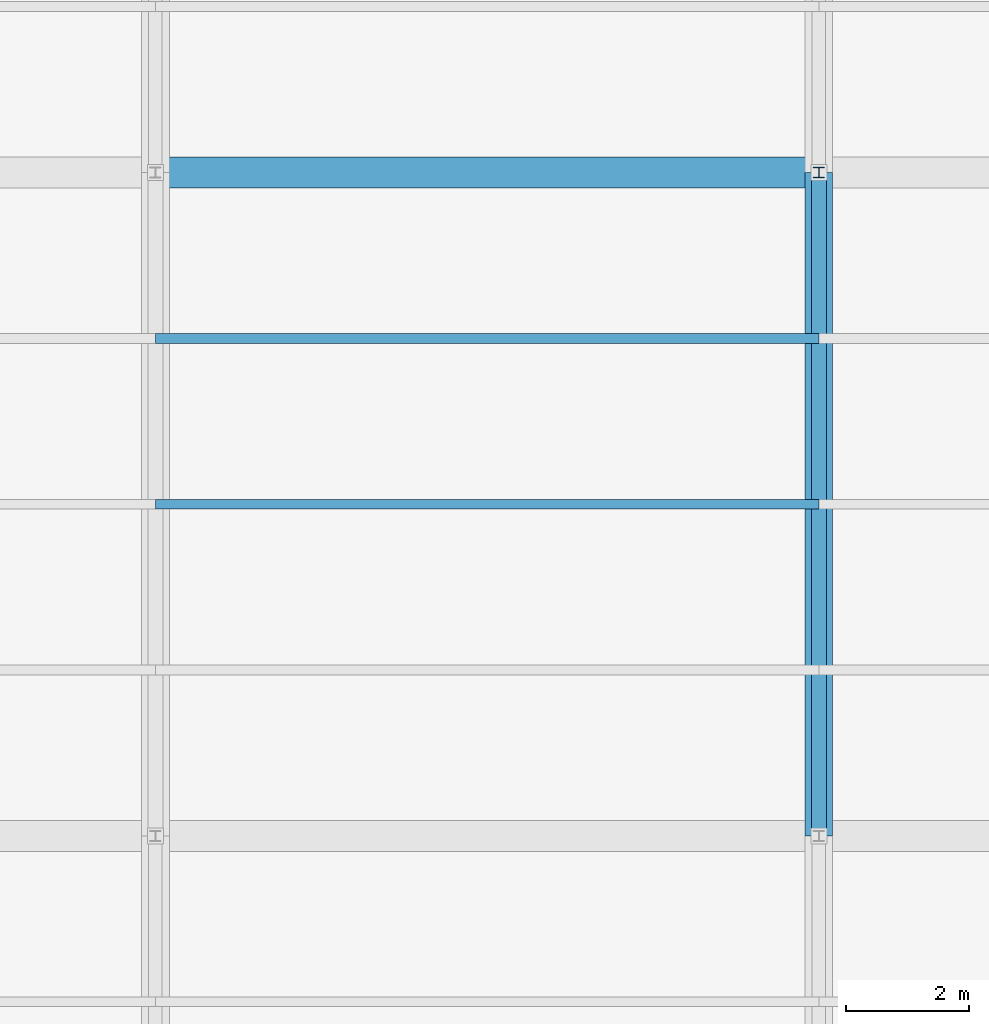
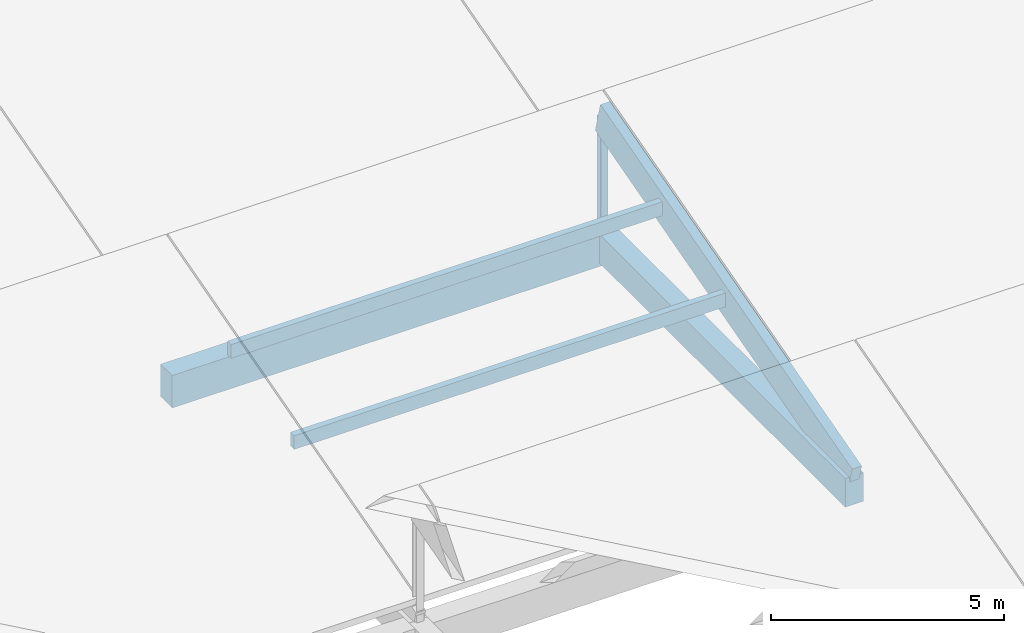
# One storey, part 23 of 112: 4 members, 2 beams.
"""IFC4 building model written with IfcOpenShell, lengths in metres."""

import ifcopenshell
import ifcopenshell.guid

model = None  # the IFC model being written
_history = None  # IfcOwnerHistory: only IFC2X3 demands one
_inside = {}  # id of a spatial element -> (the spatial element, [elements in it])
_under = {}  # id of a project, library or spatial element -> (it, [spatial elements below it])
_declared = {}  # id of a project -> (the project, [libraries it declares])
_typed = {}  # id of a type object -> (the type object, [elements of that type])
_made_of = {}  # id of a material, layer set ... -> (it, [elements and type objects made of it])


def new_model(schema):
    """Start an empty IFC model of exactly this schema.

    Asked for "IFC4X3", IfcOpenShell would pick the latest addendum, in which some entities
    have other attributes; the version numbers below select the first issue.
    IFC2X3 requires an IfcOwnerHistory on every rooted entity: one is made here for all.
    """
    global model, _history
    if schema == "IFC4X3":
        model = ifcopenshell.file(schema_version=(4, 3, 0, 0))
    else:
        model = ifcopenshell.file(schema=schema)
    _inside.clear()
    _under.clear()
    _declared.clear()
    _typed.clear()
    _made_of.clear()
    _history = None
    if model.schema == "IFC2X3":
        org = make("IfcOrganization", Name="unknown")
        user = make(
            "IfcPersonAndOrganization",
            ThePerson=make("IfcPerson", FamilyName="unknown"),
            TheOrganization=org,
        )
        app = make(
            "IfcApplication",
            ApplicationDeveloper=org,
            Version="unknown",
            ApplicationFullName="unknown",
            ApplicationIdentifier="unknown",
        )
        _history = make(
            "IfcOwnerHistory",
            OwningUser=user,
            OwningApplication=app,
            ChangeAction="ADDED",
            CreationDate=0,
        )
    return model


def make(cls, **values):
    """One entity of the class cls with the attributes given. An attribute that is None is left unset."""
    return model.create_entity(
        cls, **{name: value for name, value in values.items() if value is not None}
    )


def rooted(cls, **values):
    """An entity with a GlobalId (a new one), such as an element, a storey or a relation."""
    return make(cls, GlobalId=ifcopenshell.guid.new(), OwnerHistory=_history, **values)


def si_unit(unit_type, name, prefix=None):
    """IfcSIUnit, for example si_unit("LENGTHUNIT", "METRE", prefix="MILLI")."""
    return make("IfcSIUnit", UnitType=unit_type, Prefix=prefix, Name=name)


def assignment(units):
    """IfcUnitAssignment: the units of a project."""
    return None if units is None else make("IfcUnitAssignment", Units=units)


def point(xyz):
    """IfcCartesianPoint."""
    return None if xyz is None else make("IfcCartesianPoint", Coordinates=xyz)


def direction(xyz):
    """IfcDirection."""
    return None if xyz is None else make("IfcDirection", DirectionRatios=xyz)


def frame(location, z_axis=None, x_axis=None):
    """IfcAxis2Placement3D, a coordinate frame: its origin and axes. An axis left out is left unset."""
    return make(
        "IfcAxis2Placement3D",
        Location=point(location),
        Axis=direction(z_axis),
        RefDirection=direction(x_axis),
    )


def frame_2d(location, x_axis=None):
    """IfcAxis2Placement2D, a coordinate frame in the plane: its origin and x axis."""
    return make(
        "IfcAxis2Placement2D", Location=point(location), RefDirection=direction(x_axis)
    )


def origin():
    """The frame at (0, 0, 0) with its axes left unset."""
    return frame((0.0, 0.0, 0.0))


def origin_2d():
    """The frame at (0, 0) in the plane with its x axis left unset."""
    return frame_2d((0.0, 0.0))


def place(relative_to, where):
    """IfcLocalPlacement: puts the frame where relative to a parent placement (None: the world)."""
    return make(
        "IfcLocalPlacement", PlacementRelTo=relative_to, RelativePlacement=where
    )


def context(
    kind, dimensions, precision=None, world=None, true_north=None, identifier=None
):
    """IfcGeometricRepresentationContext, for example the 3D "Model" context."""
    return make(
        "IfcGeometricRepresentationContext",
        ContextIdentifier=identifier,
        ContextType=kind,
        CoordinateSpaceDimension=dimensions,
        Precision=precision,
        WorldCoordinateSystem=world,
        TrueNorth=true_north,
    )


def subcontext(parent, identifier, kind, view, scale=None):
    """IfcGeometricRepresentationSubContext, for example "Body" below "Model"."""
    return make(
        "IfcGeometricRepresentationSubContext",
        ContextIdentifier=identifier,
        ContextType=kind,
        ParentContext=parent,
        TargetScale=scale,
        TargetView=view,
    )


def project(units=None, contexts=None):
    """IfcProject with its units and contexts."""
    return rooted(
        "IfcProject",
        Name="project",
        RepresentationContexts=contexts,
        UnitsInContext=assignment(units),
    )


def spatial(cls, under=None, at=None, **own):
    """A site, building, storey or space (cls), placed at a placement, below another one or the project."""
    s = rooted(cls, ObjectPlacement=at, **own)
    if under is not None:
        _under.setdefault(under.id(), (under, []))[1].append(s)
    return s


def profile(cls, at=None, kind="AREA", **sizes):
    """A parametric profile (cls). Its sizes go by their IFC names, for example OverallWidth=200.0."""
    return make(cls, ProfileType=kind, Position=at, **sizes)


def rectangle(**sizes):
    """IfcRectangleProfileDef."""
    return profile("IfcRectangleProfileDef", **sizes)


def i_section(**sizes):
    """IfcIShapeProfileDef."""
    return profile("IfcIShapeProfileDef", **sizes)


def extrude(swept, where, along, depth):
    """IfcExtrudedAreaSolid: the profile swept, set in the frame where, extruded along a direction by depth."""
    return make(
        "IfcExtrudedAreaSolid",
        SweptArea=swept,
        Position=where,
        ExtrudedDirection=direction(along),
        Depth=depth,
    )


def shape(context_of_items, identifier, shape_type, items):
    """IfcShapeRepresentation: the items that make up one representation, for example the "Body"."""
    return make(
        "IfcShapeRepresentation",
        ContextOfItems=context_of_items,
        RepresentationIdentifier=identifier,
        RepresentationType=shape_type,
        Items=items,
    )


def material(Name=None, Category=None):
    """IfcMaterial."""
    return make("IfcMaterial", Name=Name, Category=Category)


def material_profile(
    of_material, cross_section, Name=None, Category=None, Priority=None
):
    """IfcMaterialProfile: a cross section and its material."""
    return make(
        "IfcMaterialProfile",
        Name=Name,
        Material=of_material,
        Profile=cross_section,
        Priority=Priority,
        Category=Category,
    )


def profile_set(profiles, Name=None, composite=None):
    """IfcMaterialProfileSet."""
    return make(
        "IfcMaterialProfileSet",
        Name=Name,
        MaterialProfiles=profiles,
        CompositeProfile=composite,
    )


def made_of(thing, what):
    """Note that an element or type object is made of a material, layer set ...; save() writes the relation."""
    if what is not None:
        _made_of.setdefault(what.id(), (what, []))[1].append(thing)
    return thing


def type_object(cls, material=None, **own):
    """A type object (cls), such as IfcWallType, which elements share."""
    return made_of(rooted(cls, **own), material)


def element(
    cls,
    number,
    at=None,
    inside=None,
    cuts=None,
    type_object=None,
    material=None,
    context=None,
    identifier="Body",
    shape_type=None,
    held_by="IfcProductDefinitionShape",
    body=None,
    shapes=None,
    **own,
):
    """One element of the class cls, such as IfcWall. Its Tag is "e" and its number.

    at: its placement. inside: the storey or other place that contains it. cuts: it is an
    opening in that element (IfcRelVoidsElement). A single representation is given by context,
    identifier, shape_type and body (its items); several are given by shapes. held_by: the class
    of the entity that holds the representations. save() writes the other relations.
    """
    e = rooted(cls, Tag="e%d" % number, ObjectPlacement=at, **own)
    if body is not None:
        shapes = [shape(context, identifier, shape_type, body)]
    if shapes is not None:
        e.Representation = make(held_by, Representations=shapes)
    if inside is not None:
        _inside.setdefault(inside.id(), (inside, []))[1].append(e)
    if cuts is not None:
        rooted(
            "IfcRelVoidsElement", RelatingBuildingElement=cuts, RelatedOpeningElement=e
        )
    if type_object is not None:
        _typed.setdefault(type_object.id(), (type_object, []))[1].append(e)
    return made_of(e, material)


def aggregate(whole, parts):
    """IfcRelAggregates: a whole, such as a stair, and the parts it consists of."""
    return rooted("IfcRelAggregates", RelatingObject=whole, RelatedObjects=parts)


def save(model, path):
    """Write the relations noted so far, then the file.

    IfcRelAggregates (storeys below a building ...), IfcRelContainedInSpatialStructure (elements
    in a storey), IfcRelDefinesByType, IfcRelAssociatesMaterial and IfcRelDeclares: one each for
    every whole, place, type object, material and project.
    """
    for whole, parts in _under.values():
        aggregate(whole, parts)
    for where, things in _inside.values():
        rooted(
            "IfcRelContainedInSpatialStructure",
            RelatedElements=things,
            RelatingStructure=where,
        )
    for kind, things in _typed.values():
        rooted("IfcRelDefinesByType", RelatedObjects=things, RelatingType=kind)
    for what, things in _made_of.values():
        rooted("IfcRelAssociatesMaterial", RelatedObjects=things, RelatingMaterial=what)
    for by, libraries in _declared.values():
        rooted("IfcRelDeclares", RelatingContext=by, RelatedDefinitions=libraries)
    model.write(path)


model = new_model("IFC4")

# Units and contexts
model_context = context("Model", 3, precision=1e-05, world=origin(), true_north=direction((0.0, 1.0)))
body_context = subcontext(model_context, "Body", "Model", "MODEL_VIEW")
ifc_project = project(units=[si_unit("LENGTHUNIT", "METRE"), si_unit("AREAUNIT", "SQUARE_METRE"), si_unit("VOLUMEUNIT", "CUBIC_METRE"), si_unit("PLANEANGLEUNIT", "RADIAN"), si_unit("MASSUNIT", "GRAM", prefix="KILO")], contexts=[model_context])

# Site, building, storey
site_placement = place(None, origin())
site = spatial("IfcSite", under=ifc_project, at=site_placement, CompositionType="ELEMENT")
building_placement = place(site_placement, origin())
building = spatial("IfcBuilding", under=site, at=building_placement, Name="Zwinboog Wholesale Market", CompositionType="ELEMENT")
storey_placement = place(building_placement, frame((0.0, 0.0, 19.080078125)))
storey = spatial("IfcBuildingStorey", under=building, at=storey_placement, Name="Roof", CompositionType="ELEMENT", Elevation=19.080078125)

# Beams
ifc_material_1 = material(Name="Precast concrete C45/55", Category="concrete")
ifc_material_profile_1 = material_profile(ifc_material_1, rectangle(XDim=0.5, YDim=0.85009765625, at=origin_2d()), Name="PC 500x850")
ifc_profile_set_1 = profile_set([ifc_material_profile_1], Name="Precast concrete C45/55")
beam_type_1 = type_object("IfcBeamType", Name="BT-03", PredefinedType="BEAM", material=ifc_profile_set_1)
beam_1_placement = place(storey_placement, frame((10.800048828125, 86.39990234375, -9.425048828125), z_axis=(1.0, 0.0, 0.0), x_axis=(0.0, 1.0, 0.0)))
element("IfcBeam", 1, at=beam_1_placement, inside=storey, type_object=beam_type_1, Name="BG-03 (BMG-Roof-0108-0864-1180)", PredefinedType="BEAM", context=body_context, shape_type="SweptSolid", body=[
    extrude(rectangle(XDim=0.5, YDim=0.85009765625, at=origin_2d()), origin(), (0.0, 0.0, 1.0), 10.800048828125),
])
ifc_material_profile_2 = material_profile(ifc_material_1, rectangle(XDim=0.449951171875, YDim=0.75, at=origin_2d()), Name="PC 450x750")
ifc_profile_set_2 = profile_set([ifc_material_profile_2], Name="Precast concrete C45/55")
beam_type_2 = type_object("IfcBeamType", Name="BT-04", PredefinedType="BEAM", material=ifc_profile_set_2)
beam_2_placement = place(storey_placement, frame((21.60009765625, 75.60009765625, -9.375), z_axis=(0.0, 1.0, 0.0), x_axis=(-1.0, 0.0, 0.0)))
element("IfcBeam", 2, at=beam_2_placement, inside=storey, type_object=beam_type_2, Name="BG-04 (BMG-Roof-0216-0756-1228)", PredefinedType="BEAM", context=body_context, shape_type="SweptSolid", body=[
    extrude(rectangle(XDim=0.449951171875, YDim=0.75, at=origin_2d()), origin(), (0.0, 0.0, 1.0), 10.7998046875),
])

# Members
ifc_material_2 = material(Name="Steel S355", Category="steel")
ifc_material_profile_3 = material_profile(ifc_material_2, i_section(OverallWidth=0.179931640625, OverallDepth=0.1708984375, WebThickness=0.006103515625, FlangeThickness=0.009521484375, FilletRadius=0.014892578125, at=origin_2d()), Name="HEA 180")
ifc_profile_set_3 = profile_set([ifc_material_profile_3], Name="Steel S355")
member_type_1 = type_object("IfcMemberType", Name="MT-07", PredefinedType="BRACE", material=ifc_profile_set_3)
member_1_placement = place(storey_placement, frame((21.60009765625, 86.39990234375, -9.2001953125), z_axis=(0.0, 0.0, 1.0), x_axis=(1.0, 0.0, 0.0)))
element("IfcMember", 3, at=member_1_placement, inside=storey, type_object=member_type_1, Name="DB-04 (MEM-Roof-0800)", PredefinedType="BRACE", context=body_context, shape_type="SweptSolid", body=[
    extrude(i_section(OverallWidth=0.179931640625, OverallDepth=0.1708984375, WebThickness=0.006103515625, FlangeThickness=0.009521484375, FilletRadius=0.014892578125, at=origin_2d()), origin(), (0.0, 0.0, 1.0), 3.074462890625),
])
ifc_material_3 = material(Name="Glulam GL28h", Category="wood")
ifc_material_profile_4 = material_profile(ifc_material_3, rectangle(XDim=0.239990234375, YDim=0.840087890625, at=origin_2d()), Name="GL28h 240x840")
ifc_profile_set_4 = profile_set([ifc_material_profile_4], Name="Glulam GL28h")
member_type_2 = type_object("IfcMemberType", Name="MT-09", PredefinedType="RAFTER", material=ifc_profile_set_4)
member_2_placement = place(storey_placement, frame((21.60009765625, 75.60009765625, -9.125732421875), z_axis=(0.0, 0.963516661409, 0.267648357342), x_axis=(-1.0, 0.0, 0.0)))
element("IfcMember", 4, at=member_2_placement, inside=storey, type_object=member_type_2, Name="GR-01 (MEM-Roof-0801)", PredefinedType="RAFTER", context=body_context, shape_type="SweptSolid", body=[
    extrude(rectangle(XDim=0.239990234375, YDim=0.840087890625, at=origin_2d()), origin(), (0.0, 0.0, 1.0), 11.208740234375),
])
ifc_material_profile_5 = material_profile(ifc_material_3, rectangle(XDim=0.159912109375, YDim=0.360107421875, at=origin_2d()), Name="GL28h 160x360")
ifc_profile_set_5 = profile_set([ifc_material_profile_5], Name="Glulam GL28h")
member_type_3 = type_object("IfcMemberType", Name="MT-12", PredefinedType="PURLIN", material=ifc_profile_set_5)
for number, where, z_axis, x_axis, name in (
    (5, (10.800048828125, 83.699951171875, -6.833251953125), (1.0, 0.0, 0.0), (0.0, 1.0, 0.0), "GP-01 (MEM-Roof-0799)"),
    (6, (10.800048828125, 81.0, -7.583251953125), (1.0, 0.0, 0.0), (0.0, 1.0, 0.0), "GP-01 (MEM-PRL-Roof-0030)"),
):
    element("IfcMember", number, at=place(storey_placement, frame(where, z_axis=z_axis, x_axis=x_axis)), inside=storey, type_object=member_type_3, Name=name, PredefinedType="PURLIN", context=body_context, shape_type="SweptSolid", body=[
        extrude(rectangle(XDim=0.159912109375, YDim=0.360107421875, at=origin_2d()), origin(), (0.0, 0.0, 1.0), 10.800048828125),
    ])

save(model, "model.ifc")
